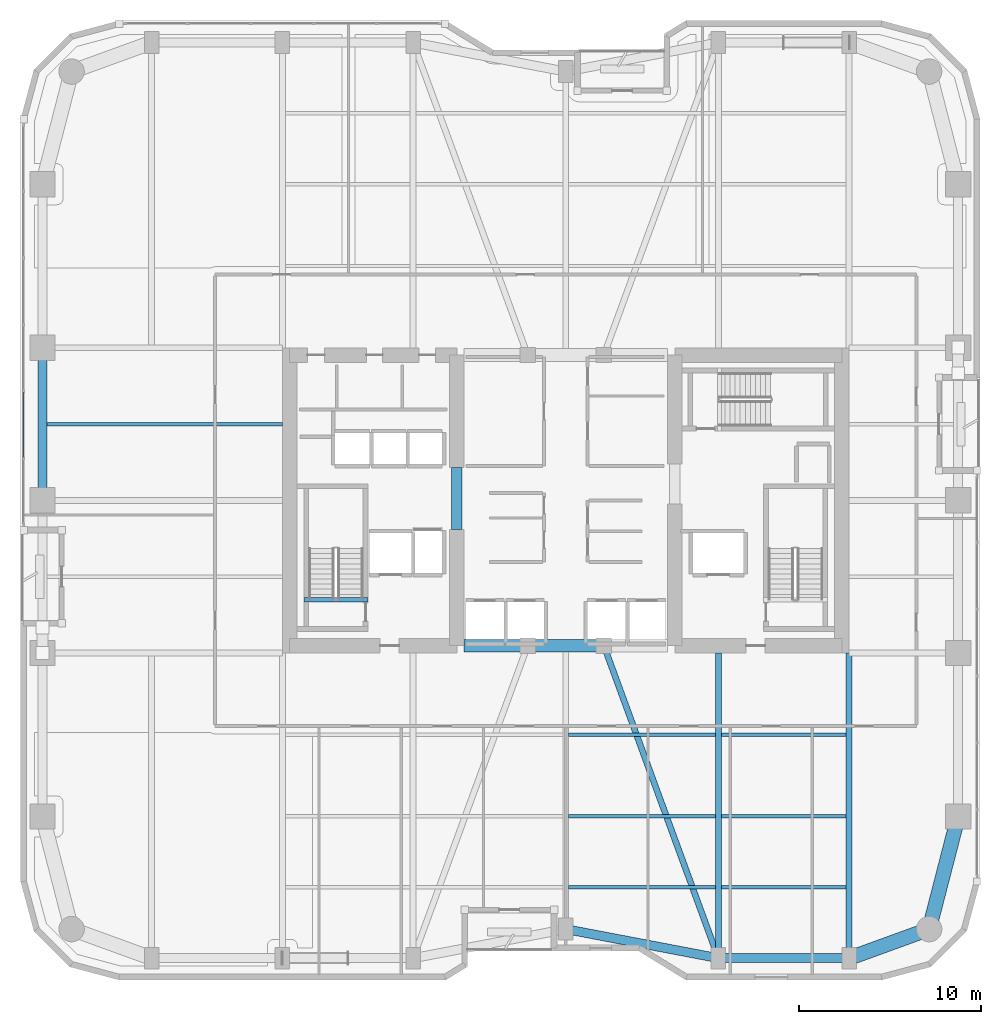
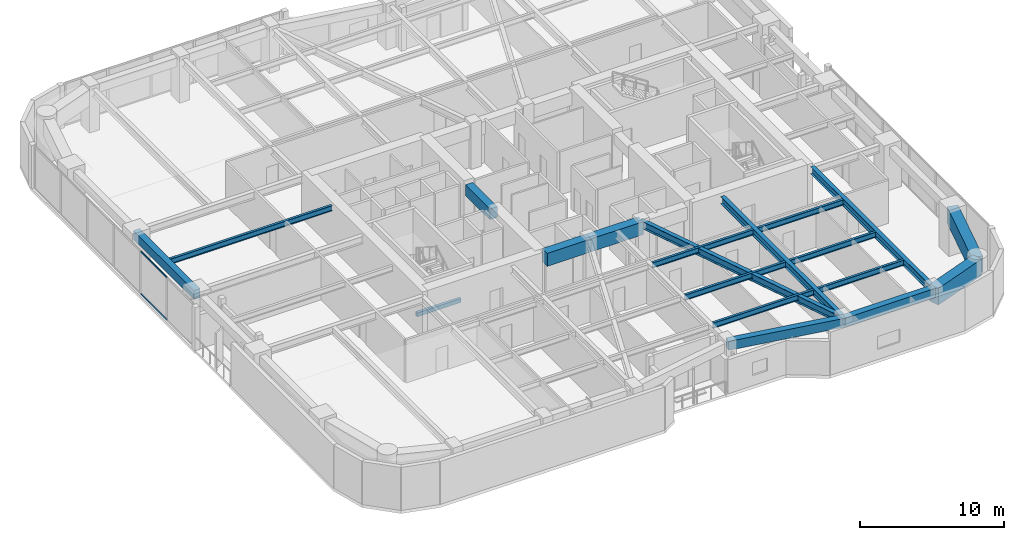
# One storey, part 3 of 24: 19 beams, 2 members, 1 element without a shape of its own.
"""IFC4 building model written with IfcOpenShell, lengths in metres."""

from ifc_helpers import new_model, si_unit, direction, frame, origin, origin_2d, place, context, subcontext, project, spatial, rectangle, hollow_rectangle, i_section, extrude, material, layer, layer_set, material_profile, profile_set, type_object, element, aggregate, save


model = new_model("IFC4")

# Units and contexts
model_context = context("Model", 3, precision=1e-05, world=origin(), true_north=direction((0.0, 1.0)))
body_context = subcontext(model_context, "Body", "Model", "MODEL_VIEW")
ifc_project = project(units=[si_unit("LENGTHUNIT", "METRE"), si_unit("AREAUNIT", "SQUARE_METRE"), si_unit("VOLUMEUNIT", "CUBIC_METRE"), si_unit("PLANEANGLEUNIT", "RADIAN"), si_unit("MASSUNIT", "GRAM", prefix="KILO")], contexts=[model_context])

# Site, building, storey
site_placement = place(None, origin())
site = spatial("IfcSite", under=ifc_project, at=site_placement, CompositionType="ELEMENT")
building_placement = place(site_placement, origin())
building = spatial("IfcBuilding", under=site, at=building_placement, Name="Kiyonajd Concourse Tower", CompositionType="ELEMENT")
storey_placement = place(building_placement, frame((0.0, 0.0, 113.10009765625)))
storey = spatial("IfcBuildingStorey", under=building, at=storey_placement, Name="L29", CompositionType="ELEMENT", Elevation=113.10009765625)

# Beams
ifc_material_1 = material(Name="Concrete C70/85", Category="concrete")
ifc_material_profile_1 = material_profile(ifc_material_1, rectangle(XDim=0.699951171875, YDim=1.10009765625, at=origin_2d()), Name="RCBM-700x1100")
ifc_profile_set_1 = profile_set([ifc_material_profile_1], Name="Concrete C70/85")
beam_type_1 = type_object("IfcBeamType", Name="BM-COUP-1100", PredefinedType="LINTEL", material=ifc_profile_set_1)
beam_1_placement = place(storey_placement, frame((42.39990234375, 28.0, 3.08984375), z_axis=(1.0, 0.0, 0.0), x_axis=(0.0, 1.0, 0.0)))
element("IfcBeam", 1, at=beam_1_placement, inside=storey, type_object=beam_type_1, Name="L29 Core Coupling Beam S1", PredefinedType="LINTEL", context=body_context, shape_type="SweptSolid", body=[
    extrude(rectangle(XDim=0.699951171875, YDim=1.10009765625, at=origin_2d()), origin(), (0.0, 0.0, 1.0), 3.5),
])
beam_2_placement = place(storey_placement, frame((45.89990234375, 28.0, 3.08984375), z_axis=(1.0, 0.0, 0.0), x_axis=(0.0, 1.0, 0.0)))
element("IfcBeam", 2, at=beam_2_placement, inside=storey, type_object=beam_type_1, Name="L29 Core Coupling Beam S2", PredefinedType="LINTEL", context=body_context, shape_type="SweptSolid", body=[
    extrude(rectangle(XDim=0.699951171875, YDim=1.10009765625, at=origin_2d()), origin(), (0.0, 0.0, 1.0), 4.2001953125),
])
ifc_material_2 = material(Name="Concrete C60/75", Category="concrete")
ifc_material_profile_2 = material_profile(ifc_material_2, rectangle(XDim=0.60009765625, YDim=0.89990234375, at=origin_2d()), Name="RCBM-600x900")
ifc_profile_set_2 = profile_set([ifc_material_profile_2], Name="Concrete C60/75")
beam_type_2 = type_object("IfcBeamType", Name="BM-COUP-900", PredefinedType="LINTEL", material=ifc_profile_set_2)
beam_3_placement = place(storey_placement, frame((42.0, 34.39990234375, 3.08984375), z_axis=(0.0, 1.0, 0.0), x_axis=(-1.0, 0.0, 0.0)))
element("IfcBeam", 3, at=beam_3_placement, inside=storey, type_object=beam_type_2, Name="L29 West Core Throat Coupling Lintel", PredefinedType="LINTEL", context=body_context, shape_type="SweptSolid", body=[
    extrude(rectangle(XDim=0.60009765625, YDim=0.89990234375, at=origin_2d()), origin(), (0.0, 0.0, 1.0), 3.400146484375),
])
ifc_material_3 = material(Name="Steel ASTM A992 Grade 50", Category="steel")
ifc_material_profile_3 = material_profile(ifc_material_3, i_section(OverallWidth=0.19189453125, OverallDepth=0.462890625, WebThickness=0.010498046875, FlangeThickness=0.017578125, at=origin_2d()), Name="W460X89")
ifc_profile_set_3 = profile_set([ifc_material_profile_3], Name="Steel ASTM A992 Grade 50")
beam_type_3 = type_object("IfcBeamType", Name="BM-JST-460B", PredefinedType="JOIST", material=ifc_profile_set_3)
beam_4_placement = place(storey_placement, frame((48.16357421875, 14.699951171875, 3.408447265625), z_axis=(1.0, 0.0, 0.0), x_axis=(0.0, 1.0, 0.0)))
element("IfcBeam", 4, at=beam_4_placement, inside=storey, type_object=beam_type_3, Name="L29 Secondary Floor Joist", PredefinedType="JOIST", context=body_context, shape_type="SweptSolid", body=[
    extrude(i_section(OverallWidth=0.19189453125, OverallDepth=0.462890625, WebThickness=0.010498046875, FlangeThickness=0.017578125, at=origin_2d()), origin(), (0.0, 0.0, 1.0), 8.072998046875),
])
beam_5_placement = place(storey_placement, frame((56.5634765625, 14.699951171875, 3.408447265625), z_axis=(1.0, 0.0, 0.0), x_axis=(0.0, 1.0, 0.0)))
element("IfcBeam", 5, at=beam_5_placement, inside=storey, type_object=beam_type_3, Name="L29 Secondary Floor Joist", PredefinedType="JOIST", context=body_context, shape_type="SweptSolid", body=[
    extrude(i_section(OverallWidth=0.19189453125, OverallDepth=0.462890625, WebThickness=0.010498046875, FlangeThickness=0.017578125, at=origin_2d()), origin(), (0.0, 0.0, 1.0), 6.873046875),
])
beam_6_placement = place(storey_placement, frame((48.16357421875, 18.60009765625, 3.408447265625), z_axis=(1.0, 0.0, 0.0), x_axis=(0.0, 1.0, 0.0)))
element("IfcBeam", 6, at=beam_6_placement, inside=storey, type_object=beam_type_3, Name="L29 Secondary Floor Joist", PredefinedType="JOIST", context=body_context, shape_type="SweptSolid", body=[
    extrude(i_section(OverallWidth=0.19189453125, OverallDepth=0.462890625, WebThickness=0.010498046875, FlangeThickness=0.017578125, at=origin_2d()), origin(), (0.0, 0.0, 1.0), 8.072998046875),
])
beam_7_placement = place(storey_placement, frame((56.5634765625, 18.60009765625, 3.408447265625), z_axis=(1.0, 0.0, 0.0), x_axis=(0.0, 1.0, 0.0)))
element("IfcBeam", 7, at=beam_7_placement, inside=storey, type_object=beam_type_3, Name="L29 Secondary Floor Joist", PredefinedType="JOIST", context=body_context, shape_type="SweptSolid", body=[
    extrude(i_section(OverallWidth=0.19189453125, OverallDepth=0.462890625, WebThickness=0.010498046875, FlangeThickness=0.017578125, at=origin_2d()), origin(), (0.0, 0.0, 1.0), 6.873046875),
])
beam_8_placement = place(storey_placement, frame((48.16357421875, 23.10009765625, 3.408447265625), z_axis=(1.0, 0.0, 0.0), x_axis=(0.0, 1.0, 0.0)))
element("IfcBeam", 8, at=beam_8_placement, inside=storey, type_object=beam_type_3, Name="L29 Secondary Floor Joist", PredefinedType="JOIST", context=body_context, shape_type="SweptSolid", body=[
    extrude(i_section(OverallWidth=0.19189453125, OverallDepth=0.462890625, WebThickness=0.010498046875, FlangeThickness=0.017578125, at=origin_2d()), origin(), (0.0, 0.0, 1.0), 8.072998046875),
])
beam_9_placement = place(storey_placement, frame((56.5634765625, 23.10009765625, 3.408447265625), z_axis=(1.0, 0.0, 0.0), x_axis=(0.0, 1.0, 0.0)))
element("IfcBeam", 9, at=beam_9_placement, inside=storey, type_object=beam_type_3, Name="L29 Secondary Floor Joist", PredefinedType="JOIST", context=body_context, shape_type="SweptSolid", body=[
    extrude(i_section(OverallWidth=0.19189453125, OverallDepth=0.462890625, WebThickness=0.010498046875, FlangeThickness=0.017578125, at=origin_2d()), origin(), (0.0, 0.0, 1.0), 6.873046875),
])
beam_10_placement = place(storey_placement, frame((19.449951171875, 40.199951171875, 3.408447265625), z_axis=(1.0, 0.0, 0.0), x_axis=(0.0, 1.0, 0.0)))
element("IfcBeam", 10, at=beam_10_placement, inside=storey, type_object=beam_type_3, Name="L29 West Secondary Floor Joist", PredefinedType="JOIST", context=body_context, shape_type="SweptSolid", body=[
    extrude(i_section(OverallWidth=0.19189453125, OverallDepth=0.462890625, WebThickness=0.010498046875, FlangeThickness=0.017578125, at=origin_2d()), origin(), (0.0, 0.0, 1.0), 12.949951171875),
])
ifc_material_4 = material(Name="Concrete C50/60", Category="concrete")
ifc_material_profile_4 = material_profile(ifc_material_4, rectangle(XDim=0.239990234375, YDim=0.320068359375, at=origin_2d()), Name="RCBM-240x320")
ifc_profile_set_4 = profile_set([ifc_material_profile_4], Name="Concrete C50/60")
beam_type_4 = type_object("IfcBeamType", Name="BM-LNT-250", PredefinedType="LINTEL", material=ifc_profile_set_4)
beam_11_placement = place(storey_placement, frame((33.590087890625, 30.530029296875, -0.16015625), z_axis=(1.0, 0.0, 0.0), x_axis=(0.0, 1.0, 0.0)))
element("IfcBeam", 11, at=beam_11_placement, inside=storey, type_object=beam_type_4, Name="L29 Stair ST1 Threshold Support Beam", PredefinedType="LINTEL", context=body_context, shape_type="SweptSolid", body=[
    extrude(rectangle(XDim=0.239990234375, YDim=0.320068359375, at=origin_2d()), origin(), (0.0, 0.0, 1.0), 3.52001953125),
])
ifc_material_5 = material(Name="Precast concrete C50/60", Category="concrete")
ifc_material_profile_5 = material_profile(ifc_material_5, rectangle(XDim=0.5, YDim=0.75, at=origin_2d()), Name="RCBM-500x750")
ifc_profile_set_5 = profile_set([ifc_material_profile_5], Name="Precast concrete C50/60")
beam_type_5 = type_object("IfcBeamType", Name="BM-SPAN-RC", PredefinedType="SPANDREL", material=ifc_profile_set_5)
beam_12_placement = place(storey_placement, frame((48.0, 12.39990234375, 3.264892578125), z_axis=(0.982341315253, -0.187097675953, 0.0), x_axis=(0.187097675953, 0.982341315253, 0.0)))
element("IfcBeam", 12, at=beam_12_placement, inside=storey, type_object=beam_type_5, Name="L29 Perimeter Bundled Tube Spandrel", PredefinedType="SPANDREL", context=body_context, shape_type="SweptSolid", body=[
    extrude(rectangle(XDim=0.5, YDim=0.75, at=origin_2d()), origin(), (0.0, 0.0, 1.0), 8.55078125),
])
beam_13_placement = place(storey_placement, frame((56.39990234375, 10.800048828125, 3.264892578125), z_axis=(1.0, 0.0, 0.0), x_axis=(0.0, 1.0, 0.0)))
element("IfcBeam", 13, at=beam_13_placement, inside=storey, type_object=beam_type_5, Name="L29 Perimeter Bundled Tube Spandrel", PredefinedType="SPANDREL", context=body_context, shape_type="SweptSolid", body=[
    extrude(rectangle(XDim=0.5, YDim=0.75, at=origin_2d()), origin(), (0.0, 0.0, 1.0), 7.2001953125),
])
beam_14_placement = place(storey_placement, frame((19.199951171875, 44.39990234375, 3.264892578125), z_axis=(0.0, -1.0, 0.0), x_axis=(1.0, 0.0, 0.0)))
element("IfcBeam", 14, at=beam_14_placement, inside=storey, type_object=beam_type_5, Name="L29 Perimeter Bundled Tube Spandrel", PredefinedType="SPANDREL", context=body_context, shape_type="SweptSolid", body=[
    extrude(rectangle(XDim=0.5, YDim=0.75, at=origin_2d()), origin(), (0.0, 0.0, 1.0), 8.39990234375),
])
ifc_material_profile_6 = material_profile(ifc_material_3, i_section(OverallWidth=0.326904296875, OverallDepth=0.6220703125, WebThickness=0.015380859375, FlangeThickness=0.0244140625, at=origin_2d()), Name="W610X195")
ifc_profile_set_6 = profile_set([ifc_material_profile_6], Name="Steel ASTM A992 Grade 50")
beam_type_6 = type_object("IfcBeamType", Name="BM-TWR-610A", PredefinedType="BEAM", material=ifc_profile_set_6)
beam_15_placement = place(storey_placement, frame((50.10009765625, 28.0, 3.328857421875), z_axis=(0.343925269715, -0.938997022813, 0.0), x_axis=(0.938997022813, 0.343925269715, 0.0)))
element("IfcBeam", 15, at=beam_15_placement, inside=storey, type_object=beam_type_6, Name="L29 Core Tie Girder", PredefinedType="BEAM", context=body_context, shape_type="SweptSolid", body=[
    extrude(i_section(OverallWidth=0.326904296875, OverallDepth=0.6220703125, WebThickness=0.015380859375, FlangeThickness=0.0244140625, at=origin_2d()), origin(), (0.0, 0.0, 1.0), 18.3173828125),
])
for number, where, z_axis, x_axis, name in (
    (16, (56.39990234375, 10.800048828125, 3.328857421875), (0.0, 1.0, 0.0), (-1.0, 0.0, 0.0), "L29 South Lease Girder"),
    (17, (63.60009765625, 10.800048828125, 3.328857421875), (0.0, 1.0, 0.0), (-1.0, 0.0, 0.0), "L29 South Lease Girder"),
):
    element("IfcBeam", number, at=place(storey_placement, frame(where, z_axis=z_axis, x_axis=x_axis)), inside=storey, type_object=beam_type_6, Name=name, PredefinedType="BEAM", context=body_context, shape_type="SweptSolid", body=[
        extrude(i_section(OverallWidth=0.326904296875, OverallDepth=0.6220703125, WebThickness=0.015380859375, FlangeThickness=0.0244140625, at=origin_2d()), origin(), (0.0, 0.0, 1.0), 16.800048828125),
    ])
ifc_material_profile_7 = material_profile(ifc_material_2, rectangle(XDim=0.800048828125, YDim=1.39990234375, at=origin_2d()), Name="RCBM-800x1400")
ifc_profile_set_7 = profile_set([ifc_material_profile_7], Name="Concrete C60/75")
beam_type_7 = type_object("IfcBeamType", Name="BM-XFER-RC", PredefinedType="BEAM", material=ifc_profile_set_7)
beam_16_placement = place(storey_placement, frame((63.60009765625, 10.800048828125, 2.93994140625), z_axis=(0.939801036019, 0.341722127901, 0.0), x_axis=(-0.341722127901, 0.939801036019, 0.0)))
element("IfcBeam", 18, at=beam_16_placement, inside=storey, type_object=beam_type_7, Name="L29 Perimeter Bundled Tube Spandrel", PredefinedType="BEAM", context=body_context, shape_type="SweptSolid", body=[
    extrude(rectangle(XDim=0.800048828125, YDim=1.39990234375, at=origin_2d()), origin(), (0.0, 0.0, 1.0), 4.681640625),
])
beam_17_placement = place(storey_placement, frame((68.0, 12.39990234375, 2.93994140625), z_axis=(0.249884937687, 0.968275538221, 0.0), x_axis=(-0.968275538221, 0.249884937687, 0.0)))
element("IfcBeam", 19, at=beam_17_placement, inside=storey, type_object=beam_type_7, Name="L29 Perimeter Bundled Tube Spandrel", PredefinedType="BEAM", context=body_context, shape_type="SweptSolid", body=[
    extrude(rectangle(XDim=0.800048828125, YDim=1.39990234375, at=origin_2d()), origin(), (0.0, 0.0, 1.0), 6.4033203125),
])

# Curtain wall, members
ifc_material_6 = material(Name="Thermally Broken Anodised Aluminium", Category="aluminium")
ifc_layer = layer(ifc_material_6, 0.179931640625)
ifc_layer_set = layer_set([ifc_layer], Name="Thermally Broken Anodised Aluminium")
curtain_wall_type = type_object("IfcCurtainWallType", Name="CW-SYS-03", PredefinedType="NOTDEFINED", material=ifc_layer_set)
curtain_wall_placement = place(storey_placement, origin())
curtain_wall = element("IfcCurtainWall", 20, at=curtain_wall_placement, inside=storey, type_object=curtain_wall_type, Name="L29 Unitised Curtain Wall CW3", PredefinedType="NOTDEFINED")
ifc_material_profile_8 = material_profile(ifc_material_6, hollow_rectangle(XDim=0.06494140625, YDim=0.139892578125, WallThickness=0.00390625, at=origin_2d()), Name="TRAN-65x140")
ifc_profile_set_8 = profile_set([ifc_material_profile_8], Name="Thermally Broken Anodised Aluminium")
member_type = type_object("IfcMemberType", Name="MB-CW-TRAN1", PredefinedType="USERDEFINED", material=ifc_profile_set_8)
member_1_placement = place(storey_placement, frame((18.159912109375, 38.355712890625, 0.032470703125), z_axis=(0.0, 1.0, 0.0), x_axis=(-1.0, 0.0, 0.0)))
member_1 = element("IfcMember", 21, at=member_1_placement, type_object=member_type, Name="CW3 transom 2.1", ObjectType="TRANSOM", PredefinedType="USERDEFINED", context=body_context, shape_type="SweptSolid", body=[
    extrude(hollow_rectangle(XDim=0.06494140625, YDim=0.139892578125, WallThickness=0.00390625, at=origin_2d()), origin(), (0.0, 0.0, 1.0), 3.608154296875),
])
member_2_placement = place(storey_placement, frame((18.159912109375, 38.355712890625, 3.607421875), z_axis=(0.0, 1.0, 0.0), x_axis=(-1.0, 0.0, 0.0)))
member_2 = element("IfcMember", 22, at=member_2_placement, type_object=member_type, Name="CW3 transom 2.2", ObjectType="TRANSOM", PredefinedType="USERDEFINED", context=body_context, shape_type="SweptSolid", body=[
    extrude(hollow_rectangle(XDim=0.06494140625, YDim=0.139892578125, WallThickness=0.00390625, at=origin_2d()), origin(), (0.0, 0.0, 1.0), 3.608154296875),
])
aggregate(curtain_wall, [member_1, member_2])

save(model, "model.ifc")
